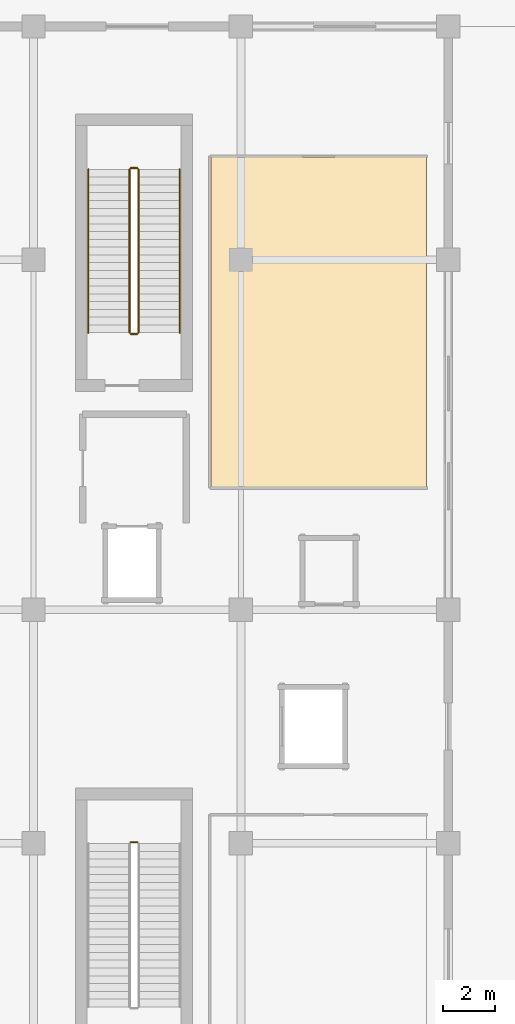
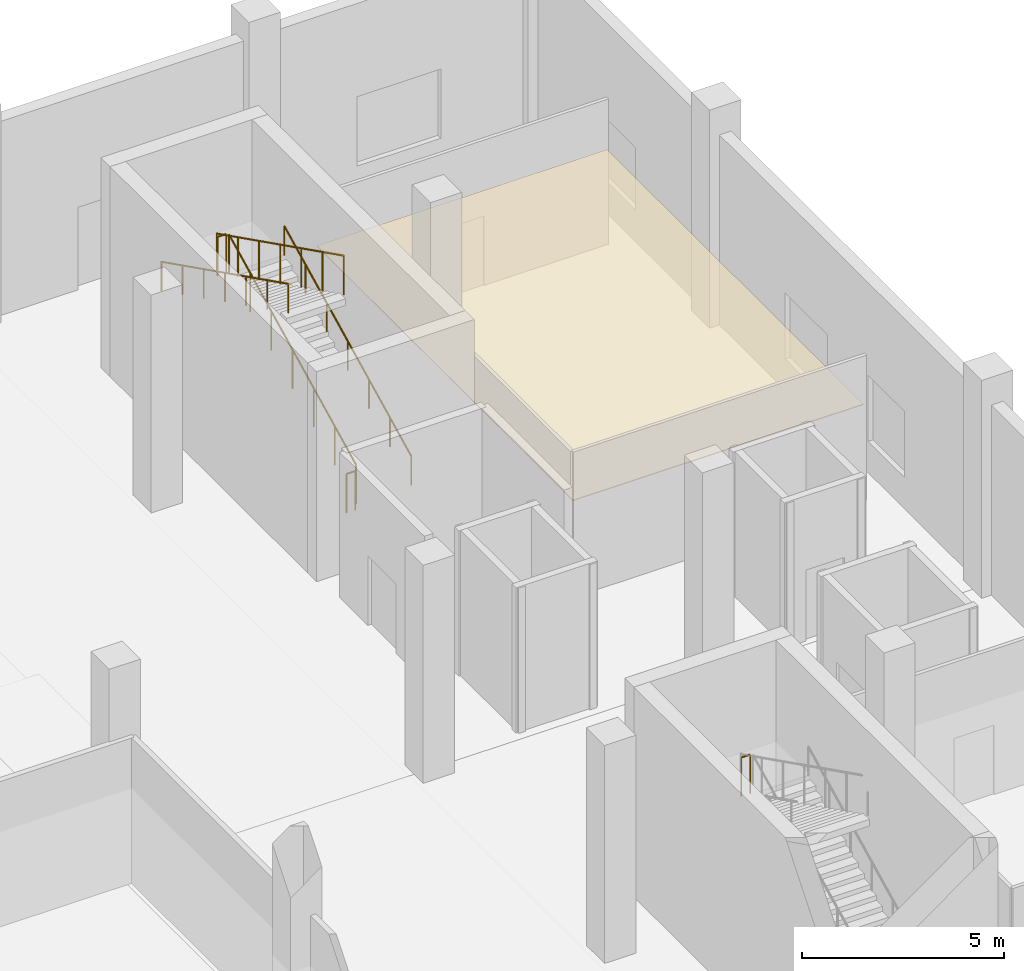
# One storey, part 63 of 65: 7 railings, 1 covering.
"""IFC4 building model written with IfcOpenShell, lengths in metres."""

import ifcopenshell
import ifcopenshell.guid

model = None  # the IFC model being written
_history = None  # IfcOwnerHistory: only IFC2X3 demands one
_inside = {}  # id of a spatial element -> (the spatial element, [elements in it])
_under = {}  # id of a project, library or spatial element -> (it, [spatial elements below it])
_declared = {}  # id of a project -> (the project, [libraries it declares])
_typed = {}  # id of a type object -> (the type object, [elements of that type])
_made_of = {}  # id of a material, layer set ... -> (it, [elements and type objects made of it])


def new_model(schema):
    """Start an empty IFC model of exactly this schema.

    Asked for "IFC4X3", IfcOpenShell would pick the latest addendum, in which some entities
    have other attributes; the version numbers below select the first issue.
    IFC2X3 requires an IfcOwnerHistory on every rooted entity: one is made here for all.
    """
    global model, _history
    if schema == "IFC4X3":
        model = ifcopenshell.file(schema_version=(4, 3, 0, 0))
    else:
        model = ifcopenshell.file(schema=schema)
    _inside.clear()
    _under.clear()
    _declared.clear()
    _typed.clear()
    _made_of.clear()
    _history = None
    if model.schema == "IFC2X3":
        org = make("IfcOrganization", Name="unknown")
        user = make(
            "IfcPersonAndOrganization",
            ThePerson=make("IfcPerson", FamilyName="unknown"),
            TheOrganization=org,
        )
        app = make(
            "IfcApplication",
            ApplicationDeveloper=org,
            Version="unknown",
            ApplicationFullName="unknown",
            ApplicationIdentifier="unknown",
        )
        _history = make(
            "IfcOwnerHistory",
            OwningUser=user,
            OwningApplication=app,
            ChangeAction="ADDED",
            CreationDate=0,
        )
    return model


def make(cls, **values):
    """One entity of the class cls with the attributes given. An attribute that is None is left unset."""
    return model.create_entity(
        cls, **{name: value for name, value in values.items() if value is not None}
    )


def rooted(cls, **values):
    """An entity with a GlobalId (a new one), such as an element, a storey or a relation."""
    return make(cls, GlobalId=ifcopenshell.guid.new(), OwnerHistory=_history, **values)


def si_unit(unit_type, name, prefix=None):
    """IfcSIUnit, for example si_unit("LENGTHUNIT", "METRE", prefix="MILLI")."""
    return make("IfcSIUnit", UnitType=unit_type, Prefix=prefix, Name=name)


def assignment(units):
    """IfcUnitAssignment: the units of a project."""
    return None if units is None else make("IfcUnitAssignment", Units=units)


def point(xyz):
    """IfcCartesianPoint."""
    return None if xyz is None else make("IfcCartesianPoint", Coordinates=xyz)


def direction(xyz):
    """IfcDirection."""
    return None if xyz is None else make("IfcDirection", DirectionRatios=xyz)


def frame(location, z_axis=None, x_axis=None):
    """IfcAxis2Placement3D, a coordinate frame: its origin and axes. An axis left out is left unset."""
    return make(
        "IfcAxis2Placement3D",
        Location=point(location),
        Axis=direction(z_axis),
        RefDirection=direction(x_axis),
    )


def frame_2d(location, x_axis=None):
    """IfcAxis2Placement2D, a coordinate frame in the plane: its origin and x axis."""
    return make(
        "IfcAxis2Placement2D", Location=point(location), RefDirection=direction(x_axis)
    )


def origin():
    """The frame at (0, 0, 0) with its axes left unset."""
    return frame((0.0, 0.0, 0.0))


def origin_2d():
    """The frame at (0, 0) in the plane with its x axis left unset."""
    return frame_2d((0.0, 0.0))


def place(relative_to, where):
    """IfcLocalPlacement: puts the frame where relative to a parent placement (None: the world)."""
    return make(
        "IfcLocalPlacement", PlacementRelTo=relative_to, RelativePlacement=where
    )


def context(
    kind, dimensions, precision=None, world=None, true_north=None, identifier=None
):
    """IfcGeometricRepresentationContext, for example the 3D "Model" context."""
    return make(
        "IfcGeometricRepresentationContext",
        ContextIdentifier=identifier,
        ContextType=kind,
        CoordinateSpaceDimension=dimensions,
        Precision=precision,
        WorldCoordinateSystem=world,
        TrueNorth=true_north,
    )


def subcontext(parent, identifier, kind, view, scale=None):
    """IfcGeometricRepresentationSubContext, for example "Body" below "Model"."""
    return make(
        "IfcGeometricRepresentationSubContext",
        ContextIdentifier=identifier,
        ContextType=kind,
        ParentContext=parent,
        TargetScale=scale,
        TargetView=view,
    )


def project(units=None, contexts=None):
    """IfcProject with its units and contexts."""
    return rooted(
        "IfcProject",
        Name="project",
        RepresentationContexts=contexts,
        UnitsInContext=assignment(units),
    )


def spatial(cls, under=None, at=None, **own):
    """A site, building, storey or space (cls), placed at a placement, below another one or the project."""
    s = rooted(cls, ObjectPlacement=at, **own)
    if under is not None:
        _under.setdefault(under.id(), (under, []))[1].append(s)
    return s


def polyline(points):
    """IfcPolyline through the points."""
    return make("IfcPolyline", Points=[point(p) for p in points])


def profile(cls, at=None, kind="AREA", **sizes):
    """A parametric profile (cls). Its sizes go by their IFC names, for example OverallWidth=200.0."""
    return make(cls, ProfileType=kind, Position=at, **sizes)


def circle(**sizes):
    """IfcCircleProfileDef."""
    return profile("IfcCircleProfileDef", **sizes)


def outline(outer, holes=None, kind="AREA"):
    """IfcArbitraryClosedProfileDef: a profile drawn as a closed curve; with holes, ...WithVoids."""
    if holes is None:
        return make("IfcArbitraryClosedProfileDef", ProfileType=kind, OuterCurve=outer)
    return make(
        "IfcArbitraryProfileDefWithVoids",
        ProfileType=kind,
        OuterCurve=outer,
        InnerCurves=holes,
    )


def extrude(swept, where, along, depth):
    """IfcExtrudedAreaSolid: the profile swept, set in the frame where, extruded along a direction by depth."""
    return make(
        "IfcExtrudedAreaSolid",
        SweptArea=swept,
        Position=where,
        ExtrudedDirection=direction(along),
        Depth=depth,
    )


def shape(context_of_items, identifier, shape_type, items):
    """IfcShapeRepresentation: the items that make up one representation, for example the "Body"."""
    return make(
        "IfcShapeRepresentation",
        ContextOfItems=context_of_items,
        RepresentationIdentifier=identifier,
        RepresentationType=shape_type,
        Items=items,
    )


def material(Name=None, Category=None):
    """IfcMaterial."""
    return make("IfcMaterial", Name=Name, Category=Category)


def layer(
    of_material, thickness, ventilated=None, Name=None, Category=None, Priority=None
):
    """IfcMaterialLayer: one layer of a wall or slab, of a material (None: an air gap)."""
    return make(
        "IfcMaterialLayer",
        Material=of_material,
        LayerThickness=thickness,
        IsVentilated=ventilated,
        Name=Name,
        Category=Category,
        Priority=Priority,
    )


def layer_set(layers, Name=None):
    """IfcMaterialLayerSet."""
    return make("IfcMaterialLayerSet", MaterialLayers=layers, LayerSetName=Name)


def made_of(thing, what):
    """Note that an element or type object is made of a material, layer set ...; save() writes the relation."""
    if what is not None:
        _made_of.setdefault(what.id(), (what, []))[1].append(thing)
    return thing


def type_object(cls, material=None, **own):
    """A type object (cls), such as IfcWallType, which elements share."""
    return made_of(rooted(cls, **own), material)


def element(
    cls,
    number,
    at=None,
    inside=None,
    cuts=None,
    type_object=None,
    material=None,
    context=None,
    identifier="Body",
    shape_type=None,
    held_by="IfcProductDefinitionShape",
    body=None,
    shapes=None,
    **own,
):
    """One element of the class cls, such as IfcWall. Its Tag is "e" and its number.

    at: its placement. inside: the storey or other place that contains it. cuts: it is an
    opening in that element (IfcRelVoidsElement). A single representation is given by context,
    identifier, shape_type and body (its items); several are given by shapes. held_by: the class
    of the entity that holds the representations. save() writes the other relations.
    """
    e = rooted(cls, Tag="e%d" % number, ObjectPlacement=at, **own)
    if body is not None:
        shapes = [shape(context, identifier, shape_type, body)]
    if shapes is not None:
        e.Representation = make(held_by, Representations=shapes)
    if inside is not None:
        _inside.setdefault(inside.id(), (inside, []))[1].append(e)
    if cuts is not None:
        rooted(
            "IfcRelVoidsElement", RelatingBuildingElement=cuts, RelatedOpeningElement=e
        )
    if type_object is not None:
        _typed.setdefault(type_object.id(), (type_object, []))[1].append(e)
    return made_of(e, material)


def aggregate(whole, parts):
    """IfcRelAggregates: a whole, such as a stair, and the parts it consists of."""
    return rooted("IfcRelAggregates", RelatingObject=whole, RelatedObjects=parts)


def save(model, path):
    """Write the relations noted so far, then the file.

    IfcRelAggregates (storeys below a building ...), IfcRelContainedInSpatialStructure (elements
    in a storey), IfcRelDefinesByType, IfcRelAssociatesMaterial and IfcRelDeclares: one each for
    every whole, place, type object, material and project.
    """
    for whole, parts in _under.values():
        aggregate(whole, parts)
    for where, things in _inside.values():
        rooted(
            "IfcRelContainedInSpatialStructure",
            RelatedElements=things,
            RelatingStructure=where,
        )
    for kind, things in _typed.values():
        rooted("IfcRelDefinesByType", RelatedObjects=things, RelatingType=kind)
    for what, things in _made_of.values():
        rooted("IfcRelAssociatesMaterial", RelatedObjects=things, RelatingMaterial=what)
    for by, libraries in _declared.values():
        rooted("IfcRelDeclares", RelatingContext=by, RelatedDefinitions=libraries)
    model.write(path)


model = new_model("IFC4")

# Units and contexts
model_context = context("Model", 3, precision=1e-05, world=origin(), true_north=direction((0.0, 1.0)))
body_context = subcontext(model_context, "Body", "Model", "MODEL_VIEW")
ifc_project = project(units=[si_unit("LENGTHUNIT", "METRE"), si_unit("AREAUNIT", "SQUARE_METRE"), si_unit("VOLUMEUNIT", "CUBIC_METRE"), si_unit("PLANEANGLEUNIT", "RADIAN"), si_unit("MASSUNIT", "GRAM", prefix="KILO")], contexts=[model_context])

# Site, building, storey
site_placement = place(None, origin())
site = spatial("IfcSite", under=ifc_project, at=site_placement, CompositionType="ELEMENT")
building_placement = place(site_placement, origin())
building = spatial("IfcBuilding", under=site, at=building_placement, Name="Chuanluo Vaults Station", CompositionType="ELEMENT")
storey_placement = place(building_placement, origin())
storey = spatial("IfcBuildingStorey", under=building, at=storey_placement, Name="L00", CompositionType="ELEMENT", Elevation=0.0)

# Covering
ifc_material_1 = material(Name="Acoustic mineral-fibre tile")
ifc_layer = layer(ifc_material_1, 0.02490234375)
ifc_layer_set = layer_set([ifc_layer], Name="Acoustic mineral-fibre tile")
covering_type = type_object("IfcCoveringType", Name="COV-CEIL-TILE", PredefinedType="CEILING", material=ifc_layer_set)
covering_placement = place(storey_placement, frame((0.0, 0.0, 2.85009765625)))
element("IfcCovering", 1, at=covering_placement, inside=storey, type_object=covering_type, Name="L00-32 suspended acoustic ceiling", PredefinedType="CEILING", context=body_context, shape_type="SweptSolid", body=[
    extrude(outline(polyline([(178.840087890625, 108.239990234375), (187.159912109375, 108.239990234375), (187.159912109375, 120.9599609375), (178.840087890625, 120.9599609375), (178.840087890625, 108.239990234375)])), origin(), (0.0, 0.0, 1.0), 0.02490234375),
])

# Railings
ifc_material_2 = material(Name="Tempered laminated balustrade glass", Category="glass")
railing_type_1 = type_object("IfcRailingType", Name="RLG-GUARD-1200", PredefinedType="BALUSTRADE", material=ifc_material_2)
railing_1_placement = place(storey_placement, frame((176.00244140625, 94.53759765625, 3.300048828125)))
element("IfcRailing", 2, at=railing_1_placement, inside=storey, type_object=railing_type_1, Name="L00 ST-01 stair guard 2", PredefinedType="BALUSTRADE", context=body_context, shape_type="SweptSolid", body=[
    extrude(circle(Radius=0.02392578125, at=origin_2d()), frame((0.0, 0.0, 1.17578125), z_axis=(-1.0, 0.0, 0.0), x_axis=(0.0, -1.0, 0.0)), (0.0, 0.0, 1.0), 0.25),
    extrude(circle(Radius=0.02099609375, at=origin_2d()), origin(), (0.0, 0.0, 1.0), 1.15185546875),
    extrude(circle(Radius=0.02099609375, at=origin_2d()), frame((-0.25, 0.0, 0.0)), (0.0, 0.0, 1.0), 1.15185546875),
])
railing_2_placement = place(storey_placement, frame((176.052490234375, 114.1875, 0.14990234375)))
element("IfcRailing", 3, at=railing_2_placement, inside=storey, type_object=railing_type_1, Name="L00 ST-02 stair guard 1", PredefinedType="BALUSTRADE", context=body_context, shape_type="SweptSolid", body=[
    extrude(circle(Radius=0.02392578125, at=origin_2d()), frame((0.0, 0.0, 1.17578125), z_axis=(0.0, 0.894420258746, 0.44722745974), x_axis=(-1.0, 0.0, 0.0)), (0.0, 0.0, 1.0), 7.043701171875),
    extrude(circle(Radius=0.02099609375, at=origin_2d()), origin(), (0.0, 0.0, 1.0), 1.15185546875),
    extrude(circle(Radius=0.02099609375, at=origin_2d()), frame((0.0, 1.050048828125, 0.52490234375)), (0.0, 0.0, 1.0), 1.15185546875),
    extrude(circle(Radius=0.02099609375, at=origin_2d()), frame((0.0, 2.10009765625, 1.050048828125)), (0.0, 0.0, 1.0), 1.15185546875),
    extrude(circle(Radius=0.02099609375, at=origin_2d()), frame((0.0, 3.14990234375, 1.5751953125)), (0.0, 0.0, 1.0), 1.15185546875),
    extrude(circle(Radius=0.02099609375, at=origin_2d()), frame((0.0, 4.199951171875, 2.10009765625)), (0.0, 0.0, 1.0), 1.15185546875),
    extrude(circle(Radius=0.02099609375, at=origin_2d()), frame((0.0, 5.25, 2.625)), (0.0, 0.0, 1.0), 1.15185546875),
    extrude(circle(Radius=0.02099609375, at=origin_2d()), frame((0.0, 6.300048828125, 3.150146484375)), (0.0, 0.0, 1.0), 1.15185546875),
])
railing_3_placement = place(storey_placement, frame((176.00244140625, 120.53759765625, 3.300048828125)))
element("IfcRailing", 4, at=railing_3_placement, inside=storey, type_object=railing_type_1, Name="L00 ST-02 stair guard 2", PredefinedType="BALUSTRADE", context=body_context, shape_type="SweptSolid", body=[
    extrude(circle(Radius=0.02392578125, at=origin_2d()), frame((0.0, 0.0, 1.17578125), z_axis=(-1.0, 0.0, 0.0), x_axis=(0.0, -1.0, 0.0)), (0.0, 0.0, 1.0), 0.25),
    extrude(circle(Radius=0.02099609375, at=origin_2d()), origin(), (0.0, 0.0, 1.0), 1.15185546875),
    extrude(circle(Radius=0.02099609375, at=origin_2d()), frame((-0.25, 0.0, 0.0)), (0.0, 0.0, 1.0), 1.15185546875),
])
railing_4_placement = place(storey_placement, frame((175.702392578125, 120.487548828125, 3.449951171875)))
element("IfcRailing", 5, at=railing_4_placement, inside=storey, type_object=railing_type_1, Name="L00 ST-02 stair guard 3", PredefinedType="BALUSTRADE", context=body_context, shape_type="SweptSolid", body=[
    extrude(circle(Radius=0.02392578125, at=origin_2d()), frame((0.0, 0.0, 1.17578125), z_axis=(0.0, -0.894420258746, 0.44722745974), x_axis=(1.0, 0.0, 0.0)), (0.0, 0.0, 1.0), 7.043701171875),
    extrude(circle(Radius=0.02099609375, at=origin_2d()), origin(), (0.0, 0.0, 1.0), 1.15185546875),
    extrude(circle(Radius=0.02099609375, at=origin_2d()), frame((0.0, -1.050048828125, 0.52490234375)), (0.0, 0.0, 1.0), 1.15185546875),
    extrude(circle(Radius=0.02099609375, at=origin_2d()), frame((0.0, -2.10009765625, 1.050048828125)), (0.0, 0.0, 1.0), 1.15185546875),
    extrude(circle(Radius=0.02099609375, at=origin_2d()), frame((0.0, -3.14990234375, 1.5751953125)), (0.0, 0.0, 1.0), 1.15185546875),
    extrude(circle(Radius=0.02099609375, at=origin_2d()), frame((0.0, -4.199951171875, 2.10009765625)), (0.0, 0.0, 1.0), 1.15185546875),
    extrude(circle(Radius=0.02099609375, at=origin_2d()), frame((0.0, -5.25, 2.625)), (0.0, 0.0, 1.0), 1.15185546875),
    extrude(circle(Radius=0.02099609375, at=origin_2d()), frame((0.0, -6.300048828125, 3.150146484375)), (0.0, 0.0, 1.0), 1.15185546875),
])
railing_5_placement = place(storey_placement, frame((176.00244140625, 114.137451171875, 0.0)))
element("IfcRailing", 6, at=railing_5_placement, inside=storey, type_object=railing_type_1, Name="L00 ST-02 stair guard 4", PredefinedType="BALUSTRADE", context=body_context, shape_type="SweptSolid", body=[
    extrude(circle(Radius=0.02392578125, at=origin_2d()), frame((0.0, 0.0, 1.17578125), z_axis=(-1.0, 0.0, 0.0), x_axis=(0.0, -1.0, 0.0)), (0.0, 0.0, 1.0), 0.25),
    extrude(circle(Radius=0.02099609375, at=origin_2d()), origin(), (0.0, 0.0, 1.0), 1.15185546875),
    extrude(circle(Radius=0.02099609375, at=origin_2d()), frame((-0.25, 0.0, 0.0)), (0.0, 0.0, 1.0), 1.15185546875),
])
ifc_material_3 = material(Name="Brushed stainless steel 304", Category="steel")
railing_type_2 = type_object("IfcRailingType", Name="RLG-HAND-900", PredefinedType="HANDRAIL", material=ifc_material_3)
railing_6_placement = place(storey_placement, frame((177.637451171875, 114.1875, 0.14990234375)))
element("IfcRailing", 7, at=railing_6_placement, inside=storey, type_object=railing_type_2, Name="L00 ST-02 stair handrail 1", PredefinedType="HANDRAIL", context=body_context, shape_type="SweptSolid", body=[
    extrude(circle(Radius=0.02392578125, at=origin_2d()), frame((0.0, 0.0, 0.8759765625), z_axis=(0.0, 0.894420258746, 0.44722745974), x_axis=(-1.0, 0.0, 0.0)), (0.0, 0.0, 1.0), 7.043701171875),
    extrude(circle(Radius=0.02099609375, at=origin_2d()), origin(), (0.0, 0.0, 1.0), 0.851806640625),
    extrude(circle(Radius=0.02099609375, at=origin_2d()), frame((0.0, 1.050048828125, 0.52490234375)), (0.0, 0.0, 1.0), 0.851806640625),
    extrude(circle(Radius=0.02099609375, at=origin_2d()), frame((0.0, 2.10009765625, 1.050048828125)), (0.0, 0.0, 1.0), 0.851806640625),
    extrude(circle(Radius=0.02099609375, at=origin_2d()), frame((0.0, 3.14990234375, 1.5751953125)), (0.0, 0.0, 1.0), 0.851806640625),
    extrude(circle(Radius=0.02099609375, at=origin_2d()), frame((0.0, 4.199951171875, 2.10009765625)), (0.0, 0.0, 1.0), 0.851806640625),
    extrude(circle(Radius=0.02099609375, at=origin_2d()), frame((0.0, 5.25, 2.625)), (0.0, 0.0, 1.0), 0.851806640625),
    extrude(circle(Radius=0.02099609375, at=origin_2d()), frame((0.0, 6.300048828125, 3.150146484375)), (0.0, 0.0, 1.0), 0.851806640625),
])
railing_7_placement = place(storey_placement, frame((174.117431640625, 120.487548828125, 3.449951171875)))
element("IfcRailing", 8, at=railing_7_placement, inside=storey, type_object=railing_type_2, Name="L00 ST-02 stair handrail 2", PredefinedType="HANDRAIL", context=body_context, shape_type="SweptSolid", body=[
    extrude(circle(Radius=0.02392578125, at=origin_2d()), frame((0.0, 0.0, 0.8759765625), z_axis=(0.0, -0.894420258746, 0.44722745974), x_axis=(1.0, 0.0, 0.0)), (0.0, 0.0, 1.0), 7.043701171875),
    extrude(circle(Radius=0.02099609375, at=origin_2d()), origin(), (0.0, 0.0, 1.0), 0.851806640625),
    extrude(circle(Radius=0.02099609375, at=origin_2d()), frame((0.0, -1.050048828125, 0.52490234375)), (0.0, 0.0, 1.0), 0.851806640625),
    extrude(circle(Radius=0.02099609375, at=origin_2d()), frame((0.0, -2.10009765625, 1.050048828125)), (0.0, 0.0, 1.0), 0.851806640625),
    extrude(circle(Radius=0.02099609375, at=origin_2d()), frame((0.0, -3.14990234375, 1.5751953125)), (0.0, 0.0, 1.0), 0.851806640625),
    extrude(circle(Radius=0.02099609375, at=origin_2d()), frame((0.0, -4.199951171875, 2.10009765625)), (0.0, 0.0, 1.0), 0.851806640625),
    extrude(circle(Radius=0.02099609375, at=origin_2d()), frame((0.0, -5.25, 2.625)), (0.0, 0.0, 1.0), 0.851806640625),
    extrude(circle(Radius=0.02099609375, at=origin_2d()), frame((0.0, -6.300048828125, 3.150146484375)), (0.0, 0.0, 1.0), 0.851806640625),
])

save(model, "model.ifc")
